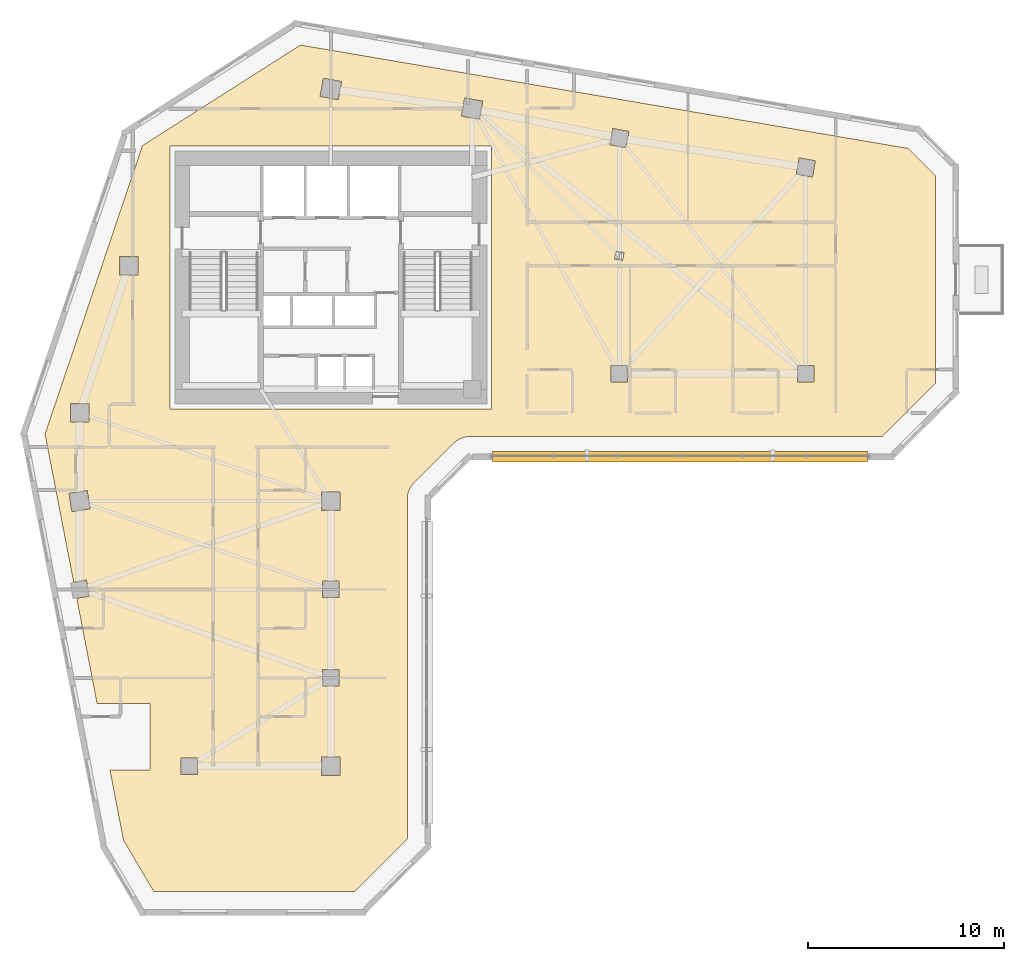
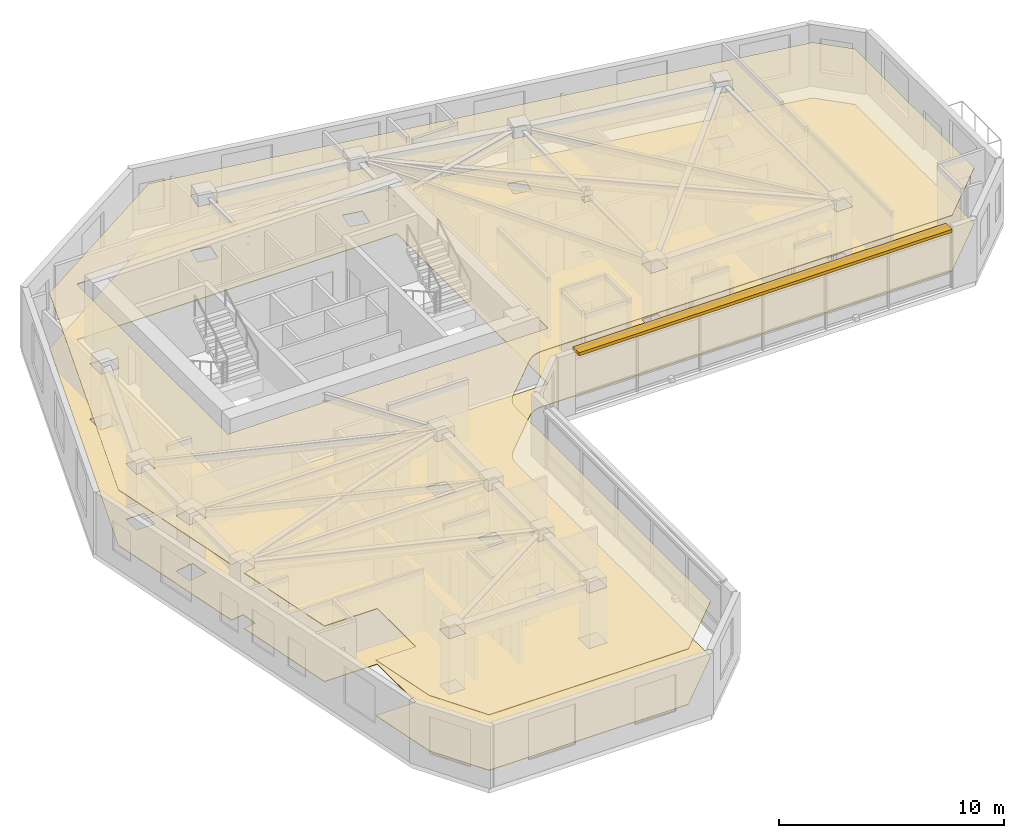
# One storey, part 11 of 14: 2 coverings, 1 shading device.
"""IFC4 building model written with IfcOpenShell, lengths in metres."""

from ifc_helpers import new_model, si_unit, direction, frame, frame_2d, origin, place, context, subcontext, project, spatial, polyline, rectangle, outline, extrude, material, layer, layer_set, type_object, element, save


model = new_model("IFC4")

# Units and contexts
model_context = context("Model", 3, precision=1e-05, world=origin(), true_north=direction((0.0, 1.0)))
body_context = subcontext(model_context, "Body", "Model", "MODEL_VIEW")
ifc_project = project(units=[si_unit("LENGTHUNIT", "METRE"), si_unit("AREAUNIT", "SQUARE_METRE"), si_unit("VOLUMEUNIT", "CUBIC_METRE"), si_unit("PLANEANGLEUNIT", "RADIAN"), si_unit("MASSUNIT", "GRAM", prefix="KILO")], contexts=[model_context])

# Site, building, storey
site_placement = place(None, origin())
site = spatial("IfcSite", under=ifc_project, at=site_placement, CompositionType="ELEMENT")
building_placement = place(site_placement, origin())
building = spatial("IfcBuilding", under=site, at=building_placement, Name="Calvemar Wedge Station Tower", CompositionType="ELEMENT")
storey_placement = place(building_placement, frame((0.0, 0.0, 125.0)))
storey = spatial("IfcBuildingStorey", under=building, at=storey_placement, Name="L30", CompositionType="ELEMENT", Elevation=125.0)

# Coverings
ifc_material_1 = material(Name="Moisture-resistant gypsum ceiling")
ifc_layer_1 = layer(ifc_material_1, 0.0400390625)
ifc_layer_set_1 = layer_set([ifc_layer_1], Name="Moisture-resistant gypsum ceiling")
covering_type_1 = type_object("IfcCoveringType", Name="COV-CEIL-GYPSUM", PredefinedType="CEILING", material=ifc_layer_set_1)
covering_1_placement = place(storey_placement, frame((0.0, 0.0, 3.0)))
element("IfcCovering", 1, at=covering_1_placement, inside=storey, type_object=covering_type_1, Name="Storey L30 Acoustic Suspended Ceiling", PredefinedType="CEILING", context=body_context, shape_type="SweptSolid", body=[
    extrude(outline(polyline([(28.047607421875, 29.4404296875), (30.047607421875, 31.4404296875), (30.134765625, 31.51953125), (30.229248046875, 31.58984375), (30.330322265625, 31.650390625), (30.436767578125, 31.70068359375), (30.547607421875, 31.740234375), (30.661865234375, 31.768798828125), (30.7783203125, 31.7861328125), (30.89599609375, 31.7919921875), (51.90283203125, 31.7919921875), (54.60009765625, 34.489013671875), (54.60009765625, 45.094970703125), (53.221923828125, 46.47314453125), (22.25439453125, 51.739501953125), (14.201416015625, 46.614990234375), (9.23828125, 31.91650390625), (10.695068359375, 24.37646484375), (11.348388671875, 24.481201171875), (11.481201171875, 23.651611328125), (10.8544921875, 23.55126953125), (11.888427734375, 18.199951171875), (14.60009765625, 18.199951171875), (14.60009765625, 14.800048828125), (12.54541015625, 14.800048828125), (13.235107421875, 11.23046875), (14.7822265625, 8.60009765625), (24.998779296875, 8.60009765625), (27.696044921875, 11.297119140625), (27.696044921875, 28.592041015625), (27.701904296875, 28.709716796875), (27.718994140625, 28.826171875), (27.747802734375, 28.940185546875), (27.787353515625, 29.05126953125), (27.837646484375, 29.15771484375), (27.898193359375, 29.2587890625), (27.968505859375, 29.353271484375), (28.047607421875, 29.4404296875)]), holes=[polyline([(15.60009765625, 46.60009765625), (32.0, 46.60009765625), (32.0, 33.199951171875), (15.60009765625, 33.199951171875), (15.60009765625, 46.60009765625)]), polyline([(10.530029296875, 32.530029296875), (10.530029296875, 33.469970703125), (11.469970703125, 33.469970703125), (11.469970703125, 32.530029296875), (10.530029296875, 32.530029296875)]), polyline([(13.030029296875, 40.969970703125), (13.969970703125, 40.969970703125), (13.969970703125, 40.030029296875), (13.030029296875, 40.030029296875), (13.030029296875, 40.969970703125)]), polyline([(24.345703125, 49.87939453125), (24.17919921875, 48.9541015625), (23.254150390625, 49.12060546875), (23.420654296875, 50.0458984375), (24.345703125, 49.87939453125)]), polyline([(31.37939453125, 47.9541015625), (30.4541015625, 48.12060546875), (30.62060546875, 49.0458984375), (31.5458984375, 48.87939453125), (31.37939453125, 47.9541015625)]), polyline([(38.01220703125, 46.660888671875), (38.160888671875, 47.48779296875), (38.98779296875, 47.339111328125), (38.839111328125, 46.51220703125), (38.01220703125, 46.660888671875)]), polyline([(47.660888671875, 45.98779296875), (48.48779296875, 45.839111328125), (48.339111328125, 45.01220703125), (47.51220703125, 45.160888671875), (47.660888671875, 45.98779296875)]), polyline([(38.919921875, 35.419921875), (38.919921875, 34.580078125), (38.080078125, 34.580078125), (38.080078125, 35.419921875), (38.919921875, 35.419921875)]), polyline([(48.419921875, 34.580078125), (47.580078125, 34.580078125), (47.580078125, 35.419921875), (48.419921875, 35.419921875), (48.419921875, 34.580078125)]), polyline([(38.259765625, 40.833984375), (38.332763671875, 41.239501953125), (38.740234375, 41.166015625), (38.667236328125, 40.760498046875), (38.259765625, 40.833984375)]), polyline([(11.389892578125, 29.038330078125), (11.538330078125, 28.110107421875), (10.610107421875, 27.961669921875), (10.461669921875, 28.889892578125), (11.389892578125, 29.038330078125)]), polyline([(24.27001953125, 28.030029296875), (23.330078125, 28.030029296875), (23.330078125, 28.969970703125), (24.27001953125, 28.969970703125), (24.27001953125, 28.030029296875)]), polyline([(23.3798828125, 23.580078125), (23.3798828125, 24.419921875), (24.219970703125, 24.419921875), (24.219970703125, 23.580078125), (23.3798828125, 23.580078125)]), polyline([(23.3798828125, 19.919921875), (24.219970703125, 19.919921875), (24.219970703125, 19.080078125), (23.3798828125, 19.080078125), (23.3798828125, 19.919921875)]), polyline([(24.27001953125, 15.469970703125), (24.27001953125, 14.530029296875), (23.330078125, 14.530029296875), (23.330078125, 15.469970703125), (24.27001953125, 15.469970703125)]), polyline([(17.02001953125, 14.580078125), (16.179931640625, 14.580078125), (16.179931640625, 15.419921875), (17.02001953125, 15.419921875), (17.02001953125, 14.580078125)])]), origin(), (0.0, 0.0, 1.0), 0.0400390625),
])
ifc_material_2 = material(Name="Honed coastal granite stone tile", Category="masonry")
ifc_layer_2 = layer(ifc_material_2, 0.030029296875)
ifc_layer_set_2 = layer_set([ifc_layer_2], Name="Honed coastal granite stone tile")
covering_type_2 = type_object("IfcCoveringType", Name="COV-FLR-STONE", PredefinedType="FLOORING", material=ifc_layer_set_2)
covering_2_placement = place(storey_placement, origin())
element("IfcCovering", 2, at=covering_2_placement, inside=storey, type_object=covering_type_2, Name="Storey L30 Architectural Floor Finish", PredefinedType="FLOORING", context=body_context, shape_type="SweptSolid", body=[
    extrude(outline(polyline([(28.047607421875, 29.4404296875), (30.047607421875, 31.4404296875), (30.134765625, 31.51953125), (30.229248046875, 31.58984375), (30.330322265625, 31.650390625), (30.436767578125, 31.70068359375), (30.547607421875, 31.740234375), (30.661865234375, 31.768798828125), (30.7783203125, 31.7861328125), (30.89599609375, 31.7919921875), (51.90283203125, 31.7919921875), (54.60009765625, 34.489013671875), (54.60009765625, 45.094970703125), (53.221923828125, 46.47314453125), (22.25439453125, 51.739501953125), (14.201416015625, 46.614990234375), (9.23828125, 31.91650390625), (10.695068359375, 24.37646484375), (11.348388671875, 24.481201171875), (11.481201171875, 23.651611328125), (10.8544921875, 23.55126953125), (11.888427734375, 18.199951171875), (14.60009765625, 18.199951171875), (14.60009765625, 14.800048828125), (12.54541015625, 14.800048828125), (13.235107421875, 11.23046875), (14.7822265625, 8.60009765625), (24.998779296875, 8.60009765625), (27.696044921875, 11.297119140625), (27.696044921875, 28.592041015625), (27.701904296875, 28.709716796875), (27.718994140625, 28.826171875), (27.747802734375, 28.940185546875), (27.787353515625, 29.05126953125), (27.837646484375, 29.15771484375), (27.898193359375, 29.2587890625), (27.968505859375, 29.353271484375), (28.047607421875, 29.4404296875)]), holes=[polyline([(15.60009765625, 46.60009765625), (32.0, 46.60009765625), (32.0, 33.199951171875), (15.60009765625, 33.199951171875), (15.60009765625, 46.60009765625)]), polyline([(10.530029296875, 32.530029296875), (10.530029296875, 33.469970703125), (11.469970703125, 33.469970703125), (11.469970703125, 32.530029296875), (10.530029296875, 32.530029296875)]), polyline([(13.030029296875, 40.969970703125), (13.969970703125, 40.969970703125), (13.969970703125, 40.030029296875), (13.030029296875, 40.030029296875), (13.030029296875, 40.969970703125)]), polyline([(24.345703125, 49.87939453125), (24.17919921875, 48.9541015625), (23.254150390625, 49.12060546875), (23.420654296875, 50.0458984375), (24.345703125, 49.87939453125)]), polyline([(31.37939453125, 47.9541015625), (30.4541015625, 48.12060546875), (30.62060546875, 49.0458984375), (31.5458984375, 48.87939453125), (31.37939453125, 47.9541015625)]), polyline([(38.01220703125, 46.660888671875), (38.160888671875, 47.48779296875), (38.98779296875, 47.339111328125), (38.839111328125, 46.51220703125), (38.01220703125, 46.660888671875)]), polyline([(47.660888671875, 45.98779296875), (48.48779296875, 45.839111328125), (48.339111328125, 45.01220703125), (47.51220703125, 45.160888671875), (47.660888671875, 45.98779296875)]), polyline([(38.919921875, 35.419921875), (38.919921875, 34.580078125), (38.080078125, 34.580078125), (38.080078125, 35.419921875), (38.919921875, 35.419921875)]), polyline([(48.419921875, 34.580078125), (47.580078125, 34.580078125), (47.580078125, 35.419921875), (48.419921875, 35.419921875), (48.419921875, 34.580078125)]), polyline([(38.259765625, 40.833984375), (38.332763671875, 41.239501953125), (38.740234375, 41.166015625), (38.667236328125, 40.760498046875), (38.259765625, 40.833984375)]), polyline([(11.389892578125, 29.038330078125), (11.538330078125, 28.110107421875), (10.610107421875, 27.961669921875), (10.461669921875, 28.889892578125), (11.389892578125, 29.038330078125)]), polyline([(24.27001953125, 28.030029296875), (23.330078125, 28.030029296875), (23.330078125, 28.969970703125), (24.27001953125, 28.969970703125), (24.27001953125, 28.030029296875)]), polyline([(23.3798828125, 23.580078125), (23.3798828125, 24.419921875), (24.219970703125, 24.419921875), (24.219970703125, 23.580078125), (23.3798828125, 23.580078125)]), polyline([(23.3798828125, 19.919921875), (24.219970703125, 19.919921875), (24.219970703125, 19.080078125), (23.3798828125, 19.080078125), (23.3798828125, 19.919921875)]), polyline([(24.27001953125, 15.469970703125), (24.27001953125, 14.530029296875), (23.330078125, 14.530029296875), (23.330078125, 15.469970703125), (24.27001953125, 15.469970703125)]), polyline([(17.02001953125, 14.580078125), (16.179931640625, 14.580078125), (16.179931640625, 15.419921875), (17.02001953125, 15.419921875), (17.02001953125, 14.580078125)])]), origin(), (0.0, 0.0, 1.0), 0.030029296875),
])

# Shading device
ifc_material_3 = material(Name="Precast concrete C45", Category="concrete")
shading_device_type = type_object("IfcShadingDeviceType", Name="SHD-EYEBROW-1", PredefinedType="SHUTTER", material=ifc_material_3)
shading_device_placement = place(storey_placement, frame((32.033935546875, 30.761962890625, 3.169921875), z_axis=(0.0, 0.0, 1.0), x_axis=(1.0, 0.0, 0.0)))
element("IfcShadingDevice", 3, at=shading_device_placement, inside=storey, type_object=shading_device_type, Name="Storey L30 Bronze GFRC Solar Eyebrow 6", PredefinedType="SHUTTER", context=body_context, shape_type="SweptSolid", body=[
    extrude(rectangle(XDim=19.10400390625, YDim=0.550048828125, at=frame_2d((9.552001953125, 0.0))), origin(), (0.0, 0.0, 1.0), 0.16015625),
])

save(model, "model.ifc")
